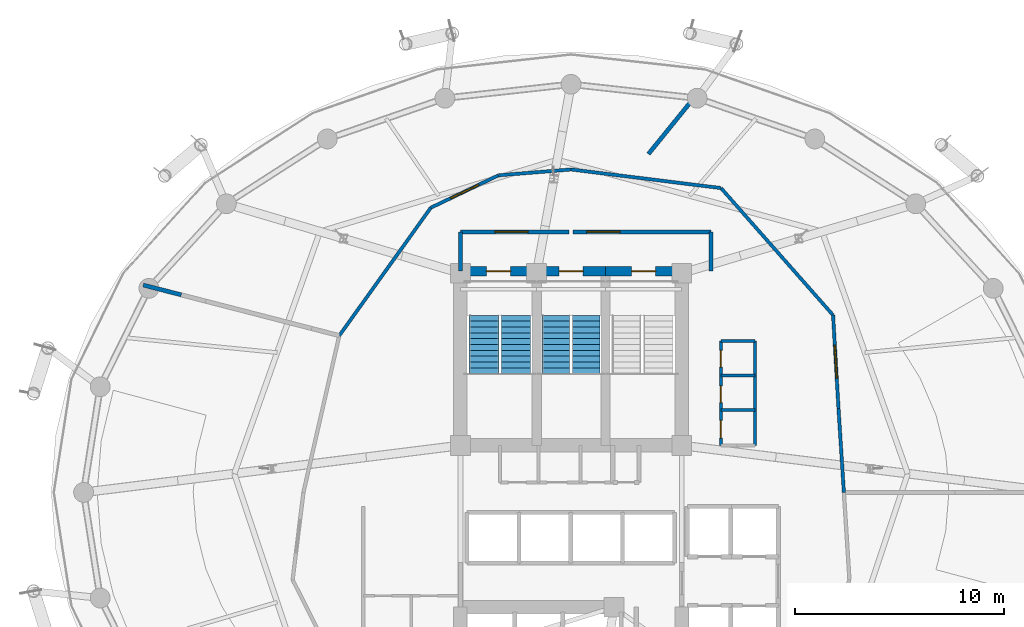
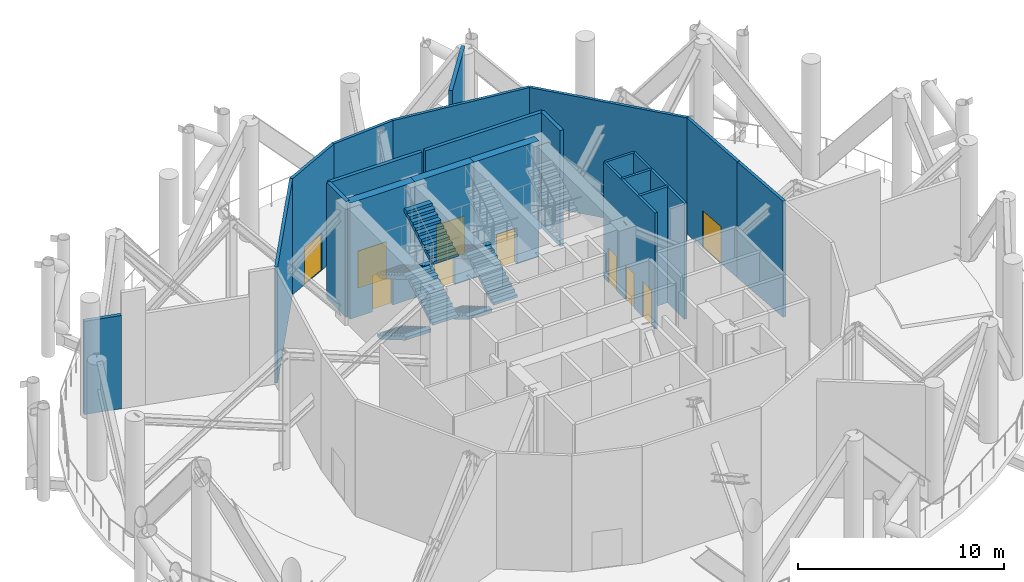
# One storey, part 9 of 18: 21 walls, 10 doors, 7 stair flights, 10 openings, 2 elements without a shape of their own.
"""IFC4 building model written with IfcOpenShell, lengths in metres."""

from ifc_helpers import new_model, si_unit, direction, frame, frame_2d, origin, place, context, subcontext, project, spatial, polyline, rectangle, outline, extrude, material, layer, layer_set, type_object, element, fill, aggregate, save


model = new_model("IFC4")

# Units and contexts
model_context = context("Model", 3, precision=1e-05, world=origin(), true_north=direction((0.0, 1.0)))
body_context = subcontext(model_context, "Body", "Model", "MODEL_VIEW")
ifc_project = project(units=[si_unit("LENGTHUNIT", "METRE"), si_unit("AREAUNIT", "SQUARE_METRE"), si_unit("VOLUMEUNIT", "CUBIC_METRE"), si_unit("PLANEANGLEUNIT", "RADIAN"), si_unit("MASSUNIT", "GRAM", prefix="KILO")], contexts=[model_context])

# Site, building, storey
site_placement = place(None, origin())
site = spatial("IfcSite", under=ifc_project, at=site_placement, CompositionType="ELEMENT")
building_placement = place(site_placement, origin())
building = spatial("IfcBuilding", under=site, at=building_placement, Name="Nuhasar Tower", CompositionType="ELEMENT")
storey_placement = place(building_placement, frame((0.0, 0.0, 195.949951171875)))
storey = spatial("IfcBuildingStorey", under=building, at=storey_placement, Name="L48", CompositionType="ELEMENT", Elevation=195.949951171875)

# Wall, opening, door
ifc_material_1 = material(Name="Concrete C50/60", Category="concrete")
ifc_layer_1 = layer(ifc_material_1, 0.449951171875)
ifc_layer_set_1 = layer_set([ifc_layer_1], Name="Concrete C50/60")
wall_type_1 = type_object("IfcWallType", Name="WL-CORE-450", PredefinedType="SHEAR", material=ifc_layer_set_1)
wall_1_placement = place(storey_placement, frame((37.35009765625, 37.39990234375, 0.0), z_axis=(0.0, 0.0, 1.0), x_axis=(-1.0, 0.0, 0.0)))
wall_1 = element("IfcWall", 1, at=wall_1_placement, inside=storey, type_object=wall_type_1, Name="L48 Stairwell Shear Wall ST01-N", PredefinedType="SHEAR", context=body_context, shape_type="SweptSolid", body=[
    extrude(rectangle(XDim=3.650146484375, YDim=0.449951171875, at=frame_2d((1.8251953125, 0.0))), origin(), (0.0, 0.0, 1.0), 6.880126953125),
])
opening_1_placement = place(wall_1_placement, frame((1.25, 0.0, 0.0)))
opening_1 = element("IfcOpeningElement", 2, at=opening_1_placement, cuts=wall_1, Name="Opening DS-01", PredefinedType="OPENING", context=body_context, shape_type="SweptSolid", body=[
    extrude(rectangle(XDim=1.14990234375, YDim=2.14990234375, at=frame_2d((0.574951171875, 1.074951171875))), frame((0.0, 0.23486328125, 0.0), z_axis=(0.0, -1.0, 0.0), x_axis=(1.0, 0.0, 0.0)), (0.0, 0.0, 1.0), 0.469970703125),
])
ifc_material_2 = material(Name="Steel S355", Category="steel")
door_type_1 = type_object("IfcDoorType", Name="DR-STAIR-FD120-1150", OperationType="NOTDEFINED", PredefinedType="DOOR", material=ifc_material_2)
door_1_placement = place(opening_1_placement, origin())
door_1 = element("IfcDoor", 3, at=door_1_placement, inside=storey, type_object=door_type_1, Name="L48 Exit Stair ST-01 Door", OperationType="SINGLE_SWING_RIGHT", OverallHeight=2.14990234375, OverallWidth=1.14990234375, PredefinedType="DOOR", context=body_context, shape_type="SweptSolid", body=[
    extrude(rectangle(XDim=1.14990234375, YDim=2.14990234375, at=frame_2d((0.574951171875, 1.074951171875))), frame((0.0, 0.02490234375, 0.0), z_axis=(0.0, -1.0, 0.0), x_axis=(1.0, 0.0, 0.0)), (0.0, 0.0, 1.0), 0.050048828125),
])
fill(opening_1, door_1)

wall_2_placement = place(storey_placement, frame((40.64990234375, 37.39990234375, 0.0), z_axis=(0.0, 0.0, 1.0), x_axis=(-1.0, 0.0, 0.0)))
wall_2 = element("IfcWall", 4, at=wall_2_placement, inside=storey, type_object=wall_type_1, Name="L48 Stairwell Shear Wall ST03-N", PredefinedType="SHEAR", context=body_context, shape_type="SweptSolid", body=[
    extrude(rectangle(XDim=3.2998046875, YDim=0.449951171875, at=frame_2d((1.64990234375, 0.0))), origin(), (0.0, 0.0, 1.0), 6.880126953125),
])
opening_2_placement = place(wall_2_placement, frame((1.074951171875, 0.0, 0.0)))
opening_2 = element("IfcOpeningElement", 5, at=opening_2_placement, cuts=wall_2, Name="Opening DS-01", PredefinedType="OPENING", context=body_context, shape_type="SweptSolid", body=[
    extrude(rectangle(XDim=1.14990234375, YDim=2.14990234375, at=frame_2d((0.574951171875, 1.074951171875))), frame((0.0, 0.23486328125, 0.0), z_axis=(0.0, -1.0, 0.0), x_axis=(1.0, 0.0, 0.0)), (0.0, 0.0, 1.0), 0.469970703125),
])
door_2_placement = place(opening_2_placement, origin())
door_2 = element("IfcDoor", 6, at=door_2_placement, inside=storey, type_object=door_type_1, Name="L48 Exit Stair ST-03 Door", OperationType="SINGLE_SWING_RIGHT", OverallHeight=2.14990234375, OverallWidth=1.14990234375, PredefinedType="DOOR", context=body_context, shape_type="SweptSolid", body=[
    extrude(rectangle(XDim=1.14990234375, YDim=2.14990234375, at=frame_2d((0.574951171875, 1.074951171875))), frame((0.0, 0.02490234375, 0.0), z_axis=(0.0, -1.0, 0.0), x_axis=(1.0, 0.0, 0.0)), (0.0, 0.0, 1.0), 0.050048828125),
])
fill(opening_2, door_2)

wall_3_placement = place(storey_placement, frame((44.300048828125, 37.39990234375, 0.0), z_axis=(0.0, 0.0, 1.0), x_axis=(-1.0, 0.0, 0.0)))
wall_3 = element("IfcWall", 7, at=wall_3_placement, inside=storey, type_object=wall_type_1, Name="L48 Stairwell Shear Wall ST02-N", PredefinedType="SHEAR", context=body_context, shape_type="SweptSolid", body=[
    extrude(rectangle(XDim=3.650146484375, YDim=0.449951171875, at=frame_2d((1.8251953125, 0.0))), origin(), (0.0, 0.0, 1.0), 6.880126953125),
])
opening_3_placement = place(wall_3_placement, frame((1.25, 0.0, 0.0)))
opening_3 = element("IfcOpeningElement", 8, at=opening_3_placement, cuts=wall_3, Name="Opening DS-01", PredefinedType="OPENING", context=body_context, shape_type="SweptSolid", body=[
    extrude(rectangle(XDim=1.14990234375, YDim=2.14990234375, at=frame_2d((0.574951171875, 1.074951171875))), frame((0.0, 0.23486328125, 0.0), z_axis=(0.0, -1.0, 0.0), x_axis=(1.0, 0.0, 0.0)), (0.0, 0.0, 1.0), 0.469970703125),
])
door_3_placement = place(opening_3_placement, origin())
door_3 = element("IfcDoor", 9, at=door_3_placement, inside=storey, type_object=door_type_1, Name="L48 Exit Stair ST-02 Door", OperationType="SINGLE_SWING_LEFT", OverallHeight=2.14990234375, OverallWidth=1.14990234375, PredefinedType="DOOR", context=body_context, shape_type="SweptSolid", body=[
    extrude(rectangle(XDim=1.14990234375, YDim=2.14990234375, at=frame_2d((0.574951171875, 1.074951171875))), frame((0.0, 0.02490234375, 0.0), z_axis=(0.0, -1.0, 0.0), x_axis=(1.0, 0.0, 0.0)), (0.0, 0.0, 1.0), 0.050048828125),
])
fill(opening_3, door_3)

# Wall
ifc_material_3 = material(Name="Gypsum Board", Category="gypsum")
ifc_layer_2 = layer(ifc_material_3, 0.159912109375)
ifc_layer_set_2 = layer_set([ifc_layer_2], Name="Gypsum Board")
wall_type_2 = type_object("IfcWallType", Name="WL-CORR-160", PredefinedType="PARTITIONING", material=ifc_layer_set_2)
wall_4_placement = place(storey_placement, frame((52.070068359375, 26.800048828125, 0.0), z_axis=(0.0, 0.0, 1.0), x_axis=(-0.064030047677, 0.997947971086, 0.0)))
element("IfcWall", 10, at=wall_4_placement, inside=storey, type_object=wall_type_2, Name="L48 Interior Partition CORR-00", PredefinedType="PARTITIONING", context=body_context, shape_type="SweptSolid", body=[
    extrude(rectangle(XDim=4.0302734375, YDim=0.159912109375, at=frame_2d((2.01513671875, 0.0))), origin(), (0.0, 0.0, 1.0), 6.880126953125),
])

# Wall, opening, door
wall_5_placement = place(storey_placement, frame((51.552001953125, 35.291015625, 0.0), z_axis=(0.0, 0.0, 1.0), x_axis=(0.058082602913, -0.998311780577, 0.0)))
wall_5 = element("IfcWall", 11, at=wall_5_placement, inside=storey, type_object=wall_type_2, Name="L48 Interior Partition CORR-02", PredefinedType="PARTITIONING", context=body_context, shape_type="SweptSolid", body=[
    extrude(rectangle(XDim=4.4765625, YDim=0.159912109375, at=frame_2d((2.23828125, 0.0))), origin(), (0.0, 0.0, 1.0), 6.880126953125),
])
opening_4_placement = place(wall_5_placement, frame((1.43798828125, 0.0, 0.0)))
opening_4 = element("IfcOpeningElement", 12, at=opening_4_placement, cuts=wall_5, Name="Opening DC-01", PredefinedType="OPENING", context=body_context, shape_type="SweptSolid", body=[
    extrude(rectangle(XDim=1.60009765625, YDim=2.199951171875, at=frame_2d((0.800048828125, 1.10009765625))), frame((0.0, 0.08984375, 0.0), z_axis=(0.0, -1.0, 0.0), x_axis=(1.0, 0.0, 0.0)), (0.0, 0.0, 1.0), 0.179931640625),
])
door_type_2 = type_object("IfcDoorType", Name="DR-CORR-FD60-1600", OperationType="DOUBLE_DOOR_SINGLE_SWING", PredefinedType="DOOR", material=ifc_material_2)
door_4_placement = place(opening_4_placement, origin())
door_4 = element("IfcDoor", 13, at=door_4_placement, inside=storey, type_object=door_type_2, Name="L48 East Refuge Area Door", OperationType="DOUBLE_DOOR_SINGLE_SWING", OverallHeight=2.199951171875, OverallWidth=1.60009765625, PredefinedType="DOOR", context=body_context, shape_type="SweptSolid", body=[
    extrude(rectangle(XDim=1.60009765625, YDim=2.199951171875, at=frame_2d((0.800048828125, 1.10009765625))), frame((0.0, 0.02490234375, 0.0), z_axis=(0.0, -1.0, 0.0), x_axis=(1.0, 0.0, 0.0)), (0.0, 0.0, 1.0), 0.050048828125),
])
fill(opening_4, door_4)

# Walls
wall_6_placement = place(storey_placement, frame((51.552001953125, 35.291015625, 0.0), z_axis=(0.0, 0.0, 1.0), x_axis=(-0.661421630005, 0.750014284772, 0.0)))
element("IfcWall", 14, at=wall_6_placement, inside=storey, type_object=wall_type_2, Name="L48 Interior Partition CORR-04", PredefinedType="PARTITIONING", context=body_context, shape_type="SweptSolid", body=[
    extrude(rectangle(XDim=8.11572265625, YDim=0.159912109375, at=frame_2d((4.057861328125, 0.0))), origin(), (0.0, 0.0, 1.0), 6.880126953125),
])
wall_7_placement = place(storey_placement, frame((46.18408203125, 41.3779296875, 0.0), z_axis=(0.0, 0.0, 1.0), x_axis=(-0.992378204756, 0.12322945559, 0.0)))
element("IfcWall", 15, at=wall_7_placement, inside=storey, type_object=wall_type_2, Name="L48 Interior Partition CORR-08", PredefinedType="PARTITIONING", context=body_context, shape_type="SweptSolid", body=[
    extrude(rectangle(XDim=7.2392578125, YDim=0.159912109375, at=frame_2d((3.61962890625, 0.0))), origin(), (0.0, 0.0, 1.0), 6.880126953125),
])
wall_8_placement = place(storey_placement, frame((39.0, 42.27001953125, 0.0), z_axis=(0.0, 0.0, 1.0), x_axis=(-0.99676721303, -0.080343780277, 0.0)))
element("IfcWall", 16, at=wall_8_placement, inside=storey, type_object=wall_type_2, Name="L48 Interior Partition CORR-12", PredefinedType="PARTITIONING", context=body_context, shape_type="SweptSolid", body=[
    extrude(rectangle(XDim=3.4853515625, YDim=0.159912109375, at=frame_2d((1.74267578125, 0.0))), origin(), (0.0, 0.0, 1.0), 6.880126953125),
])

# Wall, opening, door
wall_9_placement = place(storey_placement, frame((32.281005859375, 40.43603515625, 0.0), z_axis=(0.0, 0.0, 1.0), x_axis=(0.901911315708, 0.43192126435, 0.0)))
wall_9 = element("IfcWall", 17, at=wall_9_placement, inside=storey, type_object=wall_type_2, Name="L48 Interior Partition CORR-14", PredefinedType="PARTITIONING", context=body_context, shape_type="SweptSolid", body=[
    extrude(rectangle(XDim=3.59765625, YDim=0.159912109375, at=frame_2d((1.798828125, 0.0))), origin(), (0.0, 0.0, 1.0), 6.880126953125),
])
opening_5_placement = place(wall_9_placement, frame((1.049072265625, 0.0, 0.0)))
opening_5 = element("IfcOpeningElement", 18, at=opening_5_placement, cuts=wall_9, Name="Opening DP-01", PredefinedType="OPENING", context=body_context, shape_type="SweptSolid", body=[
    extrude(rectangle(XDim=1.5, YDim=2.199951171875, at=frame_2d((0.75, 1.10009765625))), frame((0.0, 0.08984375, 0.0), z_axis=(0.0, -1.0, 0.0), x_axis=(1.0, 0.0, 0.0)), (0.0, 0.0, 1.0), 0.179931640625),
])
door_type_3 = type_object("IfcDoorType", Name="DR-PLANT-FD120-1500", OperationType="DOUBLE_DOOR_SINGLE_SWING", PredefinedType="DOOR", material=ifc_material_2)
door_5_placement = place(opening_5_placement, origin())
door_5 = element("IfcDoor", 19, at=door_5_placement, inside=storey, type_object=door_type_3, Name="L48 North AHU Mechanical Plant Door", OperationType="DOUBLE_DOOR_SINGLE_SWING", OverallHeight=2.199951171875, OverallWidth=1.5, PredefinedType="DOOR", context=body_context, shape_type="SweptSolid", body=[
    extrude(rectangle(XDim=1.5, YDim=2.199951171875, at=frame_2d((0.75, 1.10009765625))), frame((0.0, 0.02490234375, 0.0), z_axis=(0.0, -1.0, 0.0), x_axis=(1.0, 0.0, 0.0)), (0.0, 0.0, 1.0), 0.050048828125),
])
fill(opening_5, door_5)

# Walls
wall_10_placement = place(storey_placement, frame((32.281005859375, 40.43603515625, 0.0), z_axis=(0.0, 0.0, 1.0), x_axis=(-0.581884927471, -0.813271130179, 0.0)))
element("IfcWall", 20, at=wall_10_placement, inside=storey, type_object=wall_type_2, Name="L48 Interior Partition CORR-16", PredefinedType="PARTITIONING", context=body_context, shape_type="SweptSolid", body=[
    extrude(rectangle(XDim=7.532470703125, YDim=0.159912109375, at=frame_2d((3.76611328125, 0.0))), origin(), (0.0, 0.0, 1.0), 6.880126953125),
])
ifc_material_4 = material(Name="Concrete C45/55", Category="concrete")
ifc_layer_3 = layer(ifc_material_4, 0.199951171875)
ifc_layer_set_3 = layer_set([ifc_layer_3], Name="Concrete C45/55")
wall_type_3 = type_object("IfcWallType", Name="WL-LOBBY-200", PredefinedType="SOLIDWALL", material=ifc_layer_set_3)
for number, where, z_axis, x_axis, name in (
    (21, (33.699951171875, 37.39990234375, 0.0), (0.0, 0.0, 1.0), (0.0, 1.0, 0.0), "L48 Interior Partition NSL-W"),
    (22, (45.699951171875, 37.39990234375, 0.0), (0.0, 0.0, 1.0), (0.0, 1.0, 0.0), "L48 Interior Partition NSL-E"),
):
    element("IfcWall", number, at=place(storey_placement, frame(where, z_axis=z_axis, x_axis=x_axis)), inside=storey, type_object=wall_type_3, Name=name, PredefinedType="SOLIDWALL", context=body_context, shape_type="SweptSolid", body=[
        extrude(rectangle(XDim=1.880126953125, YDim=0.199951171875, at=frame_2d((0.93994140625, 0.0))), origin(), (0.0, 0.0, 1.0), 6.880126953125),
    ])

# Wall, opening, door
wall_11_placement = place(storey_placement, frame((38.89990234375, 39.280029296875, 0.0), z_axis=(0.0, 0.0, 1.0), x_axis=(-1.0, 0.0, 0.0)))
wall_11 = element("IfcWall", 23, at=wall_11_placement, inside=storey, type_object=wall_type_3, Name="L48 Interior Partition NSL-N1", PredefinedType="SOLIDWALL", context=body_context, shape_type="SweptSolid", body=[
    extrude(rectangle(XDim=5.199951171875, YDim=0.199951171875, at=frame_2d((2.60009765625, 0.0))), origin(), (0.0, 0.0, 1.0), 6.880126953125),
])
opening_6_placement = place(wall_11_placement, frame((1.949951171875, 0.0, 0.0)))
opening_6 = element("IfcOpeningElement", 24, at=opening_6_placement, cuts=wall_11, Name="Opening DC-01", PredefinedType="OPENING", context=body_context, shape_type="SweptSolid", body=[
    extrude(rectangle(XDim=1.60009765625, YDim=2.199951171875, at=frame_2d((0.800048828125, 1.10009765625))), frame((0.0, 0.10986328125, 0.0), z_axis=(0.0, -1.0, 0.0), x_axis=(1.0, 0.0, 0.0)), (0.0, 0.0, 1.0), 0.219970703125),
])
door_6_placement = place(opening_6_placement, origin())
door_6 = element("IfcDoor", 25, at=door_6_placement, inside=storey, type_object=door_type_2, Name="L48 North Stair Lobby West Door", OperationType="DOUBLE_DOOR_SINGLE_SWING", OverallHeight=2.199951171875, OverallWidth=1.60009765625, PredefinedType="DOOR", context=body_context, shape_type="SweptSolid", body=[
    extrude(rectangle(XDim=1.60009765625, YDim=2.199951171875, at=frame_2d((0.800048828125, 1.10009765625))), frame((0.0, 0.02490234375, 0.0), z_axis=(0.0, -1.0, 0.0), x_axis=(1.0, 0.0, 0.0)), (0.0, 0.0, 1.0), 0.050048828125),
])
fill(opening_6, door_6)

wall_12_placement = place(storey_placement, frame((45.699951171875, 39.280029296875, 0.0), z_axis=(0.0, 0.0, 1.0), x_axis=(-1.0, 0.0, 0.0)))
wall_12 = element("IfcWall", 26, at=wall_12_placement, inside=storey, type_object=wall_type_3, Name="L48 Interior Partition NSL-N2", PredefinedType="SOLIDWALL", context=body_context, shape_type="SweptSolid", body=[
    extrude(rectangle(XDim=6.599853515625, YDim=0.199951171875, at=frame_2d((3.2998046875, 0.0))), origin(), (0.0, 0.0, 1.0), 6.880126953125),
])
opening_7_placement = place(wall_12_placement, frame((4.35009765625, 0.0, 0.0)))
opening_7 = element("IfcOpeningElement", 27, at=opening_7_placement, cuts=wall_12, Name="Opening DC-01", PredefinedType="OPENING", context=body_context, shape_type="SweptSolid", body=[
    extrude(rectangle(XDim=1.60009765625, YDim=2.199951171875, at=frame_2d((0.800048828125, 1.10009765625))), frame((0.0, 0.10986328125, 0.0), z_axis=(0.0, -1.0, 0.0), x_axis=(1.0, 0.0, 0.0)), (0.0, 0.0, 1.0), 0.219970703125),
])
door_7_placement = place(opening_7_placement, origin())
door_7 = element("IfcDoor", 28, at=door_7_placement, inside=storey, type_object=door_type_2, Name="L48 North Stair Lobby East Door", OperationType="DOUBLE_DOOR_SINGLE_SWING", OverallHeight=2.199951171875, OverallWidth=1.60009765625, PredefinedType="DOOR", context=body_context, shape_type="SweptSolid", body=[
    extrude(rectangle(XDim=1.60009765625, YDim=2.199951171875, at=frame_2d((0.800048828125, 1.10009765625))), frame((0.0, 0.02490234375, 0.0), z_axis=(0.0, -1.0, 0.0), x_axis=(1.0, 0.0, 0.0)), (0.0, 0.0, 1.0), 0.050048828125),
])
fill(opening_7, door_7)

# Walls
wall_13_placement = place(storey_placement, frame((42.7080078125, 43.013916015625, 0.0), z_axis=(0.0, 0.0, 1.0), x_axis=(0.630674163324, 0.776047743193, 0.0)))
element("IfcWall", 29, at=wall_13_placement, inside=storey, type_object=wall_type_3, Name="L48 Interior Partition WRAD-10", PredefinedType="SOLIDWALL", context=body_context, shape_type="SweptSolid", body=[
    extrude(rectangle(XDim=3.832275390625, YDim=0.199951171875, at=frame_2d((1.916015625, 0.0))), origin(), (0.0, 0.0, 1.0), 6.880126953125),
])
wall_14_placement = place(storey_placement, frame((20.326904296875, 36.262939453125, 0.0), z_axis=(0.0, 0.0, 1.0), x_axis=(-0.968266176434, 0.249921210732, 0.0)))
element("IfcWall", 30, at=wall_14_placement, inside=storey, type_object=wall_type_3, Name="L48 Interior Partition WRAD-20", PredefinedType="SOLIDWALL", context=body_context, shape_type="SweptSolid", body=[
    extrude(rectangle(XDim=1.88037109375, YDim=0.199951171875, at=frame_2d((0.940185546875, 0.0))), origin(), (0.0, 0.0, 1.0), 5.530029296875),
])

# Wall, openings, doors
ifc_material_5 = material(Name="Concrete C40/50 precast", Category="concrete")
ifc_layer_4 = layer(ifc_material_5, 0.139892578125)
ifc_layer_set_4 = layer_set([ifc_layer_4], Name="Concrete C40/50 precast")
wall_type_4 = type_object("IfcWallType", Name="WL-WET-140", PredefinedType="PARTITIONING", material=ifc_layer_set_4)
wall_15_placement = place(storey_placement, frame((46.179931640625, 34.050048828125, 0.0), z_axis=(0.0, 0.0, 1.0), x_axis=(0.0, -1.0, 0.0)))
wall_15 = element("IfcWall", 31, at=wall_15_placement, inside=storey, type_object=wall_type_4, Name="L48 Interior Partition K1-NE-W", PredefinedType="PARTITIONING", context=body_context, shape_type="SweptSolid", body=[
    extrude(rectangle(XDim=5.0, YDim=0.139892578125, at=frame_2d((2.5, 0.0))), origin(), (0.0, 0.0, 1.0), 6.880126953125),
])
opening_8_placement = place(wall_15_placement, frame((3.800048828125, 0.0, 0.0)))
opening_8 = element("IfcOpeningElement", 32, at=opening_8_placement, cuts=wall_15, Name="Opening DB-01", PredefinedType="OPENING", context=body_context, shape_type="SweptSolid", body=[
    extrude(rectangle(XDim=0.85009765625, YDim=2.10009765625, at=frame_2d((0.425048828125, 1.050048828125))), frame((0.0, 0.080078125, 0.0), z_axis=(0.0, -1.0, 0.0), x_axis=(1.0, 0.0, 0.0)), (0.0, 0.0, 1.0), 0.159912109375),
])
opening_9_placement = place(wall_15_placement, frame((2.14990234375, 0.0, 0.0)))
opening_9 = element("IfcOpeningElement", 33, at=opening_9_placement, cuts=wall_15, Name="Opening DM-01", PredefinedType="OPENING", context=body_context, shape_type="SweptSolid", body=[
    extrude(rectangle(XDim=0.800048828125, YDim=2.050048828125, at=frame_2d((0.39990234375, 1.02490234375))), frame((0.0, 0.080078125, 0.0), z_axis=(0.0, -1.0, 0.0), x_axis=(1.0, 0.0, 0.0)), (0.0, 0.0, 1.0), 0.159912109375),
])
opening_10_placement = place(wall_15_placement, frame((0.449951171875, 0.0, 0.0)))
opening_10 = element("IfcOpeningElement", 34, at=opening_10_placement, cuts=wall_15, Name="Opening DM-01", PredefinedType="OPENING", context=body_context, shape_type="SweptSolid", body=[
    extrude(rectangle(XDim=0.800048828125, YDim=2.050048828125, at=frame_2d((0.39990234375, 1.02490234375))), frame((0.0, 0.080078125, 0.0), z_axis=(0.0, -1.0, 0.0), x_axis=(1.0, 0.0, 0.0)), (0.0, 0.0, 1.0), 0.159912109375),
])
ifc_material_6 = material(Name="Timber Oak", Category="wood")
door_type_4 = type_object("IfcDoorType", Name="DR-BATH-850", OperationType="NOTDEFINED", PredefinedType="DOOR", material=ifc_material_6)
door_8_placement = place(opening_8_placement, origin())
door_8 = element("IfcDoor", 35, at=door_8_placement, inside=storey, type_object=door_type_4, Name="L48 NE Female WC Door", OperationType="SINGLE_SWING_RIGHT", OverallHeight=2.10009765625, OverallWidth=0.85009765625, PredefinedType="DOOR", context=body_context, shape_type="SweptSolid", body=[
    extrude(rectangle(XDim=0.85009765625, YDim=2.10009765625, at=frame_2d((0.425048828125, 1.050048828125))), frame((0.0, 0.02490234375, 0.0), z_axis=(0.0, -1.0, 0.0), x_axis=(1.0, 0.0, 0.0)), (0.0, 0.0, 1.0), 0.050048828125),
])
fill(opening_8, door_8)
door_type_5 = type_object("IfcDoorType", Name="DR-RISER-FD60-800", OperationType="NOTDEFINED", PredefinedType="DOOR", material=ifc_material_2)
door_9_placement = place(opening_9_placement, origin())
door_9 = element("IfcDoor", 36, at=door_9_placement, inside=storey, type_object=door_type_5, Name="L48 NE Meter Door", OperationType="SINGLE_SWING_RIGHT", OverallHeight=2.050048828125, OverallWidth=0.800048828125, PredefinedType="DOOR", context=body_context, shape_type="SweptSolid", body=[
    extrude(rectangle(XDim=0.800048828125, YDim=2.050048828125, at=frame_2d((0.39990234375, 1.02490234375))), frame((0.0, 0.02490234375, 0.0), z_axis=(0.0, -1.0, 0.0), x_axis=(1.0, 0.0, 0.0)), (0.0, 0.0, 1.0), 0.050048828125),
])
fill(opening_9, door_9)
door_10_placement = place(opening_10_placement, origin())
door_10 = element("IfcDoor", 37, at=door_10_placement, inside=storey, type_object=door_type_5, Name="L48 NE Telecom Door", OperationType="SINGLE_SWING_LEFT", OverallHeight=2.050048828125, OverallWidth=0.800048828125, PredefinedType="DOOR", context=body_context, shape_type="SweptSolid", body=[
    extrude(rectangle(XDim=0.800048828125, YDim=2.050048828125, at=frame_2d((0.39990234375, 1.02490234375))), frame((0.0, 0.02490234375, 0.0), z_axis=(0.0, -1.0, 0.0), x_axis=(1.0, 0.0, 0.0)), (0.0, 0.0, 1.0), 0.050048828125),
])
fill(opening_10, door_10)

# Walls
for number, where, z_axis, x_axis, name in (
    (38, (46.179931640625, 30.75, 0.0), (0.0, 0.0, 1.0), (1.0, 0.0, 0.0), "L48 Interior Partition K1-NE-M1"),
    (39, (46.179931640625, 32.39990234375, 0.0), (0.0, 0.0, 1.0), (1.0, 0.0, 0.0), "L48 Interior Partition K1-NE-M2"),
    (40, (46.179931640625, 34.050048828125, 0.0), (0.0, 0.0, 1.0), (1.0, 0.0, 0.0), "L48 Interior Partition K1-NE-N"),
):
    element("IfcWall", number, at=place(storey_placement, frame(where, z_axis=z_axis, x_axis=x_axis)), inside=storey, type_object=wall_type_4, Name=name, PredefinedType="PARTITIONING", context=body_context, shape_type="SweptSolid", body=[
        extrude(rectangle(XDim=1.64013671875, YDim=0.139892578125, at=frame_2d((0.820068359375, 0.0))), origin(), (0.0, 0.0, 1.0), 6.880126953125),
    ])
wall_16_placement = place(storey_placement, frame((47.820068359375, 29.050048828125, 0.0), z_axis=(0.0, 0.0, 1.0), x_axis=(0.0, 1.0, 0.0)))
element("IfcWall", 41, at=wall_16_placement, inside=storey, type_object=wall_type_4, Name="L48 Interior Partition K1-NE-E", PredefinedType="PARTITIONING", context=body_context, shape_type="SweptSolid", body=[
    extrude(rectangle(XDim=5.0, YDim=0.139892578125, at=frame_2d((2.5, 0.0))), origin(), (0.0, 0.0, 1.0), 6.880126953125),
])

# Stair, stair flights
stair_type_1 = type_object("IfcStairType", Name="STR-ST-01-4F-44R-1636", PredefinedType="HALF_TURN_STAIR", material=ifc_material_4)
stair_1_placement = place(storey_placement, origin())
stair_1 = element("IfcStair", 42, at=stair_1_placement, inside=storey, type_object=stair_type_1, Name="L48 Exit Stair ST-01", PredefinedType="HALF_TURN_STAIR")
stair_flight_type_1 = type_object("IfcStairFlightType", Name="SFL-ST-01-11R-1636", PredefinedType="STRAIGHT", material=ifc_material_4)
stair_flight_1_placement = place(storey_placement, frame((34.830078125, 35.284912109375, 0.0), z_axis=(0.0, 0.0, 1.0), x_axis=(0.0, -1.0, 0.0)))
stair_flight_1 = element("IfcStairFlight", 43, at=stair_flight_1_placement, type_object=stair_flight_type_1, Name="ST-01 flight 1", NumberOfRisers=11, NumberOfTreads=10, PredefinedType="STRAIGHT", RiserHeight=0.163636, TreadLength=0.28, context=body_context, shape_type="SweptSolid", body=[
    extrude(outline(polyline([(0.0, 0.0), (0.0, 0.16357421875), (0.280029296875, 0.16357421875), (0.280029296875, 0.327392578125), (0.56005859375, 0.327392578125), (0.56005859375, 0.490966796875), (0.840087890625, 0.490966796875), (0.840087890625, 0.654541015625), (1.1201171875, 0.654541015625), (1.1201171875, 0.818115234375), (1.39990234375, 0.818115234375), (1.39990234375, 0.98193359375), (1.679931640625, 0.98193359375), (1.679931640625, 1.1455078125), (1.9599609375, 1.1455078125), (1.9599609375, 1.30908203125), (2.239990234375, 1.30908203125), (2.239990234375, 1.47265625), (2.52001953125, 1.47265625), (2.52001953125, 1.636474609375), (2.800048828125, 1.636474609375), (2.800048828125, 1.800048828125), (2.800048828125, 1.451171875), (0.31689453125, 0.0), (0.0, 0.0)])), frame((0.0, 0.7099609375, 0.0), z_axis=(0.0, -1.0, 0.0), x_axis=(1.0, 0.0, 0.0)), (0.0, 0.0, 1.0), 1.419921875),
])
stair_flight_2_placement = place(storey_placement, frame((36.35009765625, 32.485107421875, 1.800048828125), z_axis=(0.0, 0.0, 1.0), x_axis=(0.0, 1.0, 0.0)))
stair_flight_2 = element("IfcStairFlight", 44, at=stair_flight_2_placement, type_object=stair_flight_type_1, Name="ST-01 flight 2", NumberOfRisers=11, NumberOfTreads=10, PredefinedType="STRAIGHT", RiserHeight=0.163636, TreadLength=0.28, context=body_context, shape_type="SweptSolid", body=[
    extrude(outline(polyline([(0.0, 0.0), (0.0, 0.16357421875), (0.280029296875, 0.16357421875), (0.280029296875, 0.327392578125), (0.56005859375, 0.327392578125), (0.56005859375, 0.490966796875), (0.840087890625, 0.490966796875), (0.840087890625, 0.654541015625), (1.1201171875, 0.654541015625), (1.1201171875, 0.818115234375), (1.39990234375, 0.818115234375), (1.39990234375, 0.98193359375), (1.679931640625, 0.98193359375), (1.679931640625, 1.1455078125), (1.9599609375, 1.1455078125), (1.9599609375, 1.30908203125), (2.239990234375, 1.30908203125), (2.239990234375, 1.47265625), (2.52001953125, 1.47265625), (2.52001953125, 1.636474609375), (2.800048828125, 1.636474609375), (2.800048828125, 1.800048828125), (2.800048828125, 1.451171875), (0.31689453125, 0.0), (0.0, 0.0)])), frame((0.0, 0.7099609375, 0.0), z_axis=(0.0, -1.0, 0.0), x_axis=(1.0, 0.0, 0.0)), (0.0, 0.0, 1.0), 1.419921875),
])
stair_flight_3_placement = place(storey_placement, frame((34.830078125, 35.284912109375, 3.60009765625), z_axis=(0.0, 0.0, 1.0), x_axis=(0.0, -1.0, 0.0)))
stair_flight_3 = element("IfcStairFlight", 45, at=stair_flight_3_placement, type_object=stair_flight_type_1, Name="ST-01 flight 3", NumberOfRisers=11, NumberOfTreads=10, PredefinedType="STRAIGHT", RiserHeight=0.163636, TreadLength=0.28, context=body_context, shape_type="SweptSolid", body=[
    extrude(outline(polyline([(0.0, 0.0), (0.0, 0.16357421875), (0.280029296875, 0.16357421875), (0.280029296875, 0.327392578125), (0.56005859375, 0.327392578125), (0.56005859375, 0.490966796875), (0.840087890625, 0.490966796875), (0.840087890625, 0.654541015625), (1.1201171875, 0.654541015625), (1.1201171875, 0.818115234375), (1.39990234375, 0.818115234375), (1.39990234375, 0.98193359375), (1.679931640625, 0.98193359375), (1.679931640625, 1.1455078125), (1.9599609375, 1.1455078125), (1.9599609375, 1.30908203125), (2.239990234375, 1.30908203125), (2.239990234375, 1.47265625), (2.52001953125, 1.47265625), (2.52001953125, 1.636474609375), (2.800048828125, 1.636474609375), (2.800048828125, 1.800048828125), (2.800048828125, 1.451171875), (0.31689453125, 0.0), (0.0, 0.0)])), frame((0.0, 0.7099609375, 0.0), z_axis=(0.0, -1.0, 0.0), x_axis=(1.0, 0.0, 0.0)), (0.0, 0.0, 1.0), 1.419921875),
])
stair_flight_4_placement = place(storey_placement, frame((36.35009765625, 32.485107421875, 5.400146484375), z_axis=(0.0, 0.0, 1.0), x_axis=(0.0, 1.0, 0.0)))
stair_flight_4 = element("IfcStairFlight", 46, at=stair_flight_4_placement, type_object=stair_flight_type_1, Name="ST-01 flight 4", NumberOfRisers=11, NumberOfTreads=10, PredefinedType="STRAIGHT", RiserHeight=0.163636, TreadLength=0.28, context=body_context, shape_type="SweptSolid", body=[
    extrude(outline(polyline([(0.0, 0.0), (0.0, 0.16357421875), (0.280029296875, 0.16357421875), (0.280029296875, 0.327392578125), (0.56005859375, 0.327392578125), (0.56005859375, 0.490966796875), (0.840087890625, 0.490966796875), (0.840087890625, 0.654541015625), (1.1201171875, 0.654541015625), (1.1201171875, 0.818115234375), (1.39990234375, 0.818115234375), (1.39990234375, 0.98193359375), (1.679931640625, 0.98193359375), (1.679931640625, 1.1455078125), (1.9599609375, 1.1455078125), (1.9599609375, 1.30908203125), (2.239990234375, 1.30908203125), (2.239990234375, 1.47265625), (2.52001953125, 1.47265625), (2.52001953125, 1.636474609375), (2.800048828125, 1.636474609375), (2.800048828125, 1.800048828125), (2.800048828125, 1.451171875), (0.31689453125, 0.0), (0.0, 0.0)])), frame((0.0, 0.7099609375, 0.0), z_axis=(0.0, -1.0, 0.0), x_axis=(1.0, 0.0, 0.0)), (0.0, 0.0, 1.0), 1.419921875),
])
aggregate(stair_1, [stair_flight_1, stair_flight_2, stair_flight_3, stair_flight_4])

stair_type_2 = type_object("IfcStairType", Name="STR-ST-03-4F-44R-1636", PredefinedType="HALF_TURN_STAIR", material=ifc_material_4)
stair_2_placement = place(storey_placement, origin())
stair_2 = element("IfcStair", 47, at=stair_2_placement, inside=storey, type_object=stair_type_2, Name="L48 Exit Stair ST-03", PredefinedType="HALF_TURN_STAIR")
stair_flight_type_2 = type_object("IfcStairFlightType", Name="SFL-ST-03-11R-1636", PredefinedType="STRAIGHT", material=ifc_material_4)
stair_flight_5_placement = place(storey_placement, frame((38.280029296875, 35.284912109375, 0.0), z_axis=(0.0, 0.0, 1.0), x_axis=(0.0, -1.0, 0.0)))
stair_flight_5 = element("IfcStairFlight", 48, at=stair_flight_5_placement, type_object=stair_flight_type_2, Name="ST-03 flight 1", NumberOfRisers=11, NumberOfTreads=10, PredefinedType="STRAIGHT", RiserHeight=0.163636, TreadLength=0.28, context=body_context, shape_type="SweptSolid", body=[
    extrude(outline(polyline([(0.0, 0.0), (0.0, 0.16357421875), (0.280029296875, 0.16357421875), (0.280029296875, 0.327392578125), (0.56005859375, 0.327392578125), (0.56005859375, 0.490966796875), (0.840087890625, 0.490966796875), (0.840087890625, 0.654541015625), (1.1201171875, 0.654541015625), (1.1201171875, 0.818115234375), (1.39990234375, 0.818115234375), (1.39990234375, 0.98193359375), (1.679931640625, 0.98193359375), (1.679931640625, 1.1455078125), (1.9599609375, 1.1455078125), (1.9599609375, 1.30908203125), (2.239990234375, 1.30908203125), (2.239990234375, 1.47265625), (2.52001953125, 1.47265625), (2.52001953125, 1.636474609375), (2.800048828125, 1.636474609375), (2.800048828125, 1.800048828125), (2.800048828125, 1.451171875), (0.31689453125, 0.0), (0.0, 0.0)])), frame((0.0, 0.669921875, 0.0), z_axis=(0.0, -1.0, 0.0), x_axis=(1.0, 0.0, 0.0)), (0.0, 0.0, 1.0), 1.340087890625),
])
stair_flight_6_placement = place(storey_placement, frame((39.719970703125, 32.485107421875, 1.800048828125), z_axis=(0.0, 0.0, 1.0), x_axis=(0.0, 1.0, 0.0)))
stair_flight_6 = element("IfcStairFlight", 49, at=stair_flight_6_placement, type_object=stair_flight_type_2, Name="ST-03 flight 2", NumberOfRisers=11, NumberOfTreads=10, PredefinedType="STRAIGHT", RiserHeight=0.163636, TreadLength=0.28, context=body_context, shape_type="SweptSolid", body=[
    extrude(outline(polyline([(0.0, 0.0), (0.0, 0.16357421875), (0.280029296875, 0.16357421875), (0.280029296875, 0.327392578125), (0.56005859375, 0.327392578125), (0.56005859375, 0.490966796875), (0.840087890625, 0.490966796875), (0.840087890625, 0.654541015625), (1.1201171875, 0.654541015625), (1.1201171875, 0.818115234375), (1.39990234375, 0.818115234375), (1.39990234375, 0.98193359375), (1.679931640625, 0.98193359375), (1.679931640625, 1.1455078125), (1.9599609375, 1.1455078125), (1.9599609375, 1.30908203125), (2.239990234375, 1.30908203125), (2.239990234375, 1.47265625), (2.52001953125, 1.47265625), (2.52001953125, 1.636474609375), (2.800048828125, 1.636474609375), (2.800048828125, 1.800048828125), (2.800048828125, 1.451171875), (0.31689453125, 0.0), (0.0, 0.0)])), frame((0.0, 0.669921875, 0.0), z_axis=(0.0, -1.0, 0.0), x_axis=(1.0, 0.0, 0.0)), (0.0, 0.0, 1.0), 1.340087890625),
])
stair_flight_7_placement = place(storey_placement, frame((38.280029296875, 35.284912109375, 3.60009765625), z_axis=(0.0, 0.0, 1.0), x_axis=(0.0, -1.0, 0.0)))
stair_flight_7 = element("IfcStairFlight", 50, at=stair_flight_7_placement, type_object=stair_flight_type_2, Name="ST-03 flight 3", NumberOfRisers=11, NumberOfTreads=10, PredefinedType="STRAIGHT", RiserHeight=0.163636, TreadLength=0.28, context=body_context, shape_type="SweptSolid", body=[
    extrude(outline(polyline([(0.0, 0.0), (0.0, 0.16357421875), (0.280029296875, 0.16357421875), (0.280029296875, 0.327392578125), (0.56005859375, 0.327392578125), (0.56005859375, 0.490966796875), (0.840087890625, 0.490966796875), (0.840087890625, 0.654541015625), (1.1201171875, 0.654541015625), (1.1201171875, 0.818115234375), (1.39990234375, 0.818115234375), (1.39990234375, 0.98193359375), (1.679931640625, 0.98193359375), (1.679931640625, 1.1455078125), (1.9599609375, 1.1455078125), (1.9599609375, 1.30908203125), (2.239990234375, 1.30908203125), (2.239990234375, 1.47265625), (2.52001953125, 1.47265625), (2.52001953125, 1.636474609375), (2.800048828125, 1.636474609375), (2.800048828125, 1.800048828125), (2.800048828125, 1.451171875), (0.31689453125, 0.0), (0.0, 0.0)])), frame((0.0, 0.669921875, 0.0), z_axis=(0.0, -1.0, 0.0), x_axis=(1.0, 0.0, 0.0)), (0.0, 0.0, 1.0), 1.340087890625),
])
aggregate(stair_2, [stair_flight_5, stair_flight_6, stair_flight_7])

save(model, "model.ifc")
